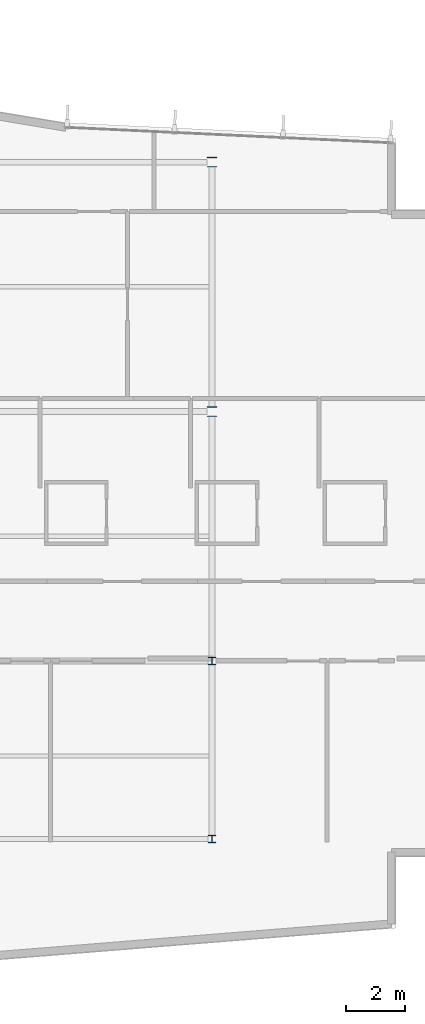
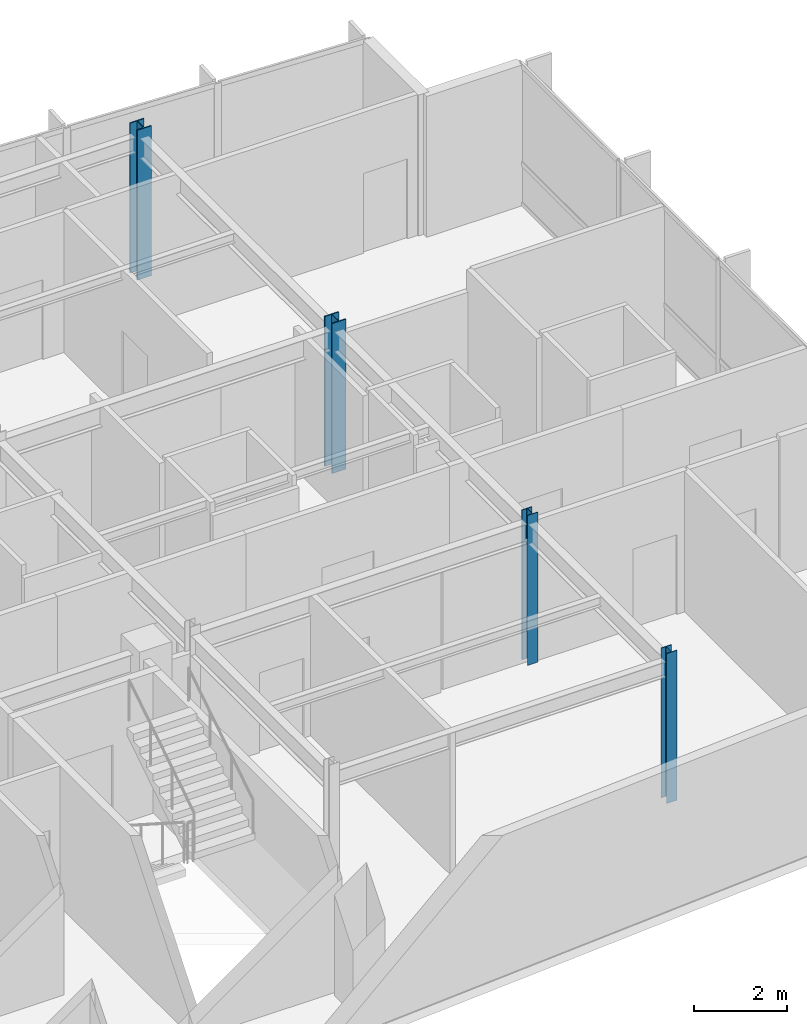
# One storey, part 3 of 16: 4 columns.
"""IFC4 building model written with IfcOpenShell, lengths in metres."""

from ifc_helpers import new_model, si_unit, direction, frame, origin, origin_2d, place, context, subcontext, project, spatial, i_section, extrude, material, material_profile, profile_set, type_object, element, save


model = new_model("IFC4")

# Units and contexts
model_context = context("Model", 3, precision=1e-05, world=origin(), true_north=direction((0.0, 1.0)))
body_context = subcontext(model_context, "Body", "Model", "MODEL_VIEW")
ifc_project = project(units=[si_unit("LENGTHUNIT", "METRE"), si_unit("AREAUNIT", "SQUARE_METRE"), si_unit("VOLUMEUNIT", "CUBIC_METRE"), si_unit("PLANEANGLEUNIT", "RADIAN"), si_unit("MASSUNIT", "GRAM", prefix="KILO")], contexts=[model_context])

# Site, building, storey
site_placement = place(None, origin())
site = spatial("IfcSite", under=ifc_project, at=site_placement, CompositionType="ELEMENT")
building_placement = place(site_placement, origin())
building = spatial("IfcBuilding", under=site, at=building_placement, Name="Varnakote Quay Hospital", CompositionType="ELEMENT")
storey_placement = place(building_placement, frame((0.0, 0.0, 260.5)))
storey = spatial("IfcBuildingStorey", under=building, at=storey_placement, Name="L64", CompositionType="ELEMENT", Elevation=260.5)

# Columns
ifc_material_1 = material(Name="Structural steel AS/NZS 3679.1 Grade 350 L0 (fy 340 MPa)", Category="steel")
ifc_material_profile_1 = material_profile(ifc_material_1, i_section(OverallWidth=0.25390625, OverallDepth=0.25390625, WebThickness=0.008544921875, FlangeThickness=0.01416015625, FilletRadius=0.0126953125, at=origin_2d()), Name="250UC72.9")
ifc_profile_set_1 = profile_set([ifc_material_profile_1], Name="Structural steel AS/NZS 3679.1 Grade 350 L0 (fy 340 MPa)")
column_type_1 = type_object("IfcColumnType", Name="COL-STL-250UC72-9", PredefinedType="COLUMN", material=ifc_profile_set_1)
for number, where, z_axis, x_axis, name in (
    (1, (33.60009765625, 6.0, 0.0), (0.0, 0.0, 1.0), (1.0, 0.0, 0.0), "L64 Structural Column C-34-6"),
    (2, (33.60009765625, 12.0, 0.0), (0.0, 0.0, 1.0), (1.0, 0.0, 0.0), "L64 Structural Column C-34-12"),
):
    element("IfcColumn", number, at=place(storey_placement, frame(where, z_axis=z_axis, x_axis=x_axis)), inside=storey, type_object=column_type_1, Name=name, PredefinedType="COLUMN", context=body_context, shape_type="SweptSolid", body=[
        extrude(i_section(OverallWidth=0.25390625, OverallDepth=0.25390625, WebThickness=0.008544921875, FlangeThickness=0.01416015625, FilletRadius=0.0126953125, at=origin_2d()), origin(), (0.0, 0.0, 1.0), 3.949951171875),
    ])
ifc_material_2 = material(Name="Structural steel AS/NZS 3678 Grade 350 (fy 340 MPa)", Category="steel")
ifc_material_profile_2 = material_profile(ifc_material_2, i_section(OverallWidth=0.35009765625, OverallDepth=0.340087890625, WebThickness=0.01611328125, FlangeThickness=0.028076171875, at=origin_2d()), Name="350WC197")
ifc_profile_set_2 = profile_set([ifc_material_profile_2], Name="Structural steel AS/NZS 3678 Grade 350 (fy 340 MPa)")
column_type_2 = type_object("IfcColumnType", Name="COL-STL-350WC197", PredefinedType="COLUMN", material=ifc_profile_set_2)
for number, where, z_axis, x_axis, name in (
    (3, (33.60009765625, 20.39990234375, 0.0), (0.0, 0.0, 1.0), (1.0, 0.0, 0.0), "L64 Structural Column C-34-20"),
    (4, (33.60009765625, 28.800048828125, 0.0), (0.0, 0.0, 1.0), (1.0, 0.0, 0.0), "L64 Structural Column C-34-29"),
):
    element("IfcColumn", number, at=place(storey_placement, frame(where, z_axis=z_axis, x_axis=x_axis)), inside=storey, type_object=column_type_2, Name=name, PredefinedType="COLUMN", context=body_context, shape_type="SweptSolid", body=[
        extrude(i_section(OverallWidth=0.35009765625, OverallDepth=0.340087890625, WebThickness=0.01611328125, FlangeThickness=0.028076171875, at=origin_2d()), origin(), (0.0, 0.0, 1.0), 3.949951171875),
    ])

save(model, "model.ifc")
